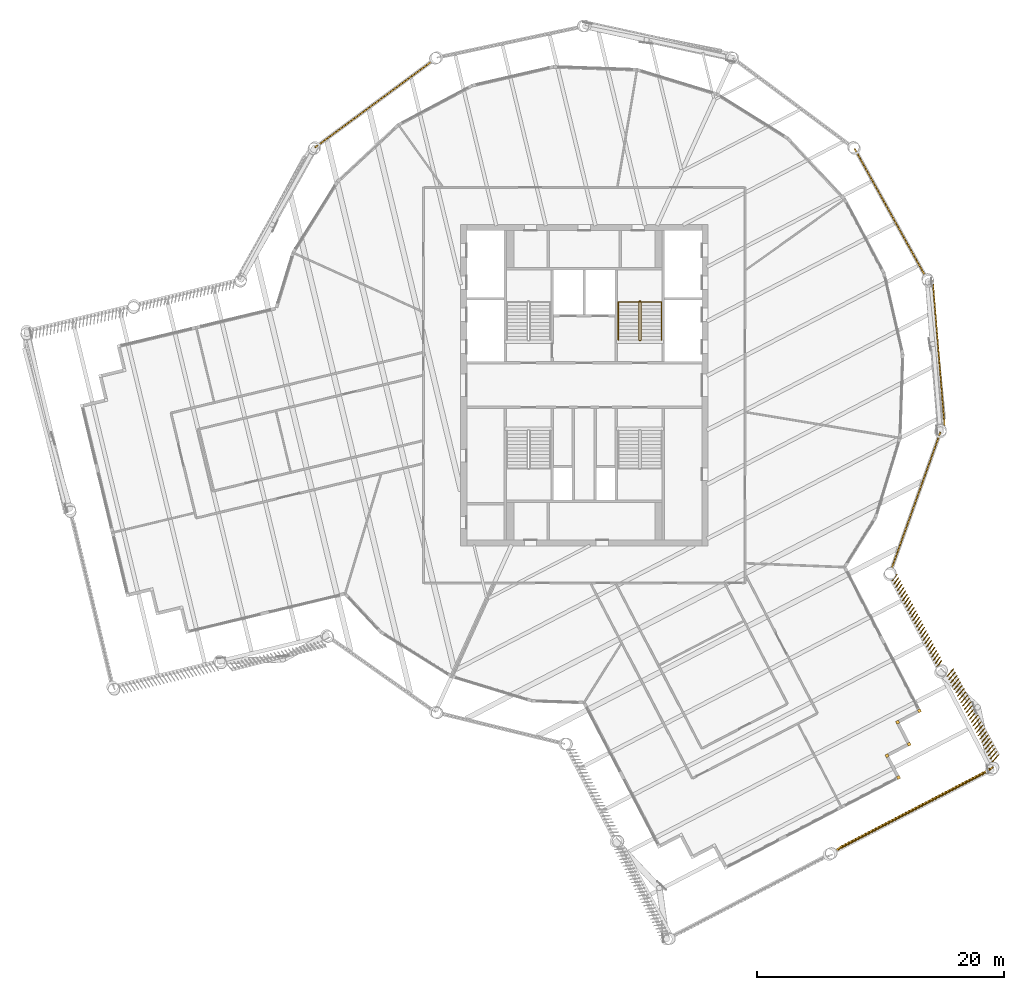
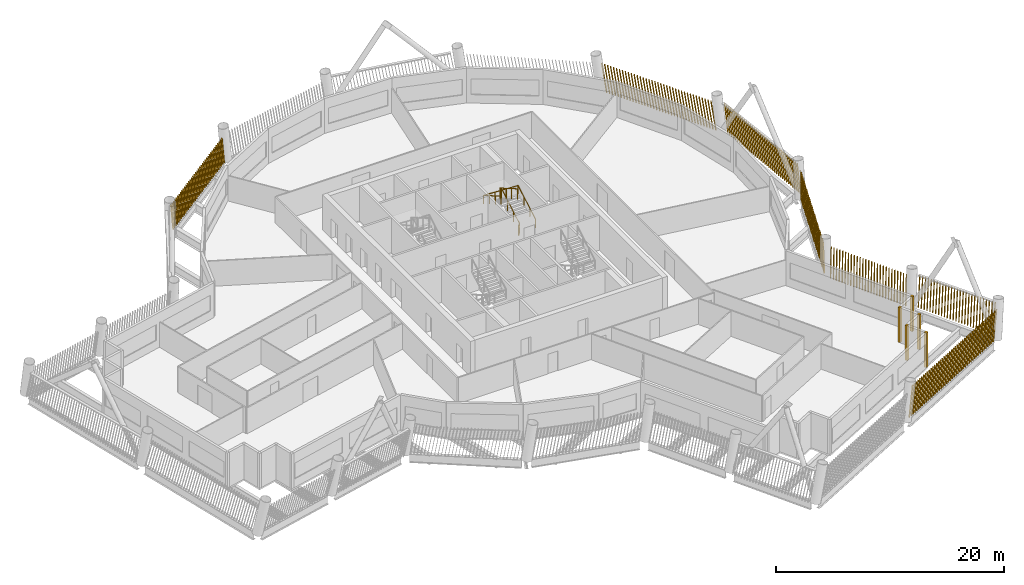
# One storey, part 20 of 22: 12 shading devices, 2 railings.
"""IFC4 building model written with IfcOpenShell, lengths in metres."""

import ifcopenshell
import ifcopenshell.guid

model = None  # the IFC model being written
_history = None  # IfcOwnerHistory: only IFC2X3 demands one
_inside = {}  # id of a spatial element -> (the spatial element, [elements in it])
_under = {}  # id of a project, library or spatial element -> (it, [spatial elements below it])
_declared = {}  # id of a project -> (the project, [libraries it declares])
_typed = {}  # id of a type object -> (the type object, [elements of that type])
_made_of = {}  # id of a material, layer set ... -> (it, [elements and type objects made of it])


def new_model(schema):
    """Start an empty IFC model of exactly this schema.

    Asked for "IFC4X3", IfcOpenShell would pick the latest addendum, in which some entities
    have other attributes; the version numbers below select the first issue.
    IFC2X3 requires an IfcOwnerHistory on every rooted entity: one is made here for all.
    """
    global model, _history
    if schema == "IFC4X3":
        model = ifcopenshell.file(schema_version=(4, 3, 0, 0))
    else:
        model = ifcopenshell.file(schema=schema)
    _inside.clear()
    _under.clear()
    _declared.clear()
    _typed.clear()
    _made_of.clear()
    _history = None
    if model.schema == "IFC2X3":
        org = make("IfcOrganization", Name="unknown")
        user = make(
            "IfcPersonAndOrganization",
            ThePerson=make("IfcPerson", FamilyName="unknown"),
            TheOrganization=org,
        )
        app = make(
            "IfcApplication",
            ApplicationDeveloper=org,
            Version="unknown",
            ApplicationFullName="unknown",
            ApplicationIdentifier="unknown",
        )
        _history = make(
            "IfcOwnerHistory",
            OwningUser=user,
            OwningApplication=app,
            ChangeAction="ADDED",
            CreationDate=0,
        )
    return model


def make(cls, **values):
    """One entity of the class cls with the attributes given. An attribute that is None is left unset."""
    return model.create_entity(
        cls, **{name: value for name, value in values.items() if value is not None}
    )


def rooted(cls, **values):
    """An entity with a GlobalId (a new one), such as an element, a storey or a relation."""
    return make(cls, GlobalId=ifcopenshell.guid.new(), OwnerHistory=_history, **values)


def si_unit(unit_type, name, prefix=None):
    """IfcSIUnit, for example si_unit("LENGTHUNIT", "METRE", prefix="MILLI")."""
    return make("IfcSIUnit", UnitType=unit_type, Prefix=prefix, Name=name)


def assignment(units):
    """IfcUnitAssignment: the units of a project."""
    return None if units is None else make("IfcUnitAssignment", Units=units)


def point(xyz):
    """IfcCartesianPoint."""
    return None if xyz is None else make("IfcCartesianPoint", Coordinates=xyz)


def direction(xyz):
    """IfcDirection."""
    return None if xyz is None else make("IfcDirection", DirectionRatios=xyz)


def frame(location, z_axis=None, x_axis=None):
    """IfcAxis2Placement3D, a coordinate frame: its origin and axes. An axis left out is left unset."""
    return make(
        "IfcAxis2Placement3D",
        Location=point(location),
        Axis=direction(z_axis),
        RefDirection=direction(x_axis),
    )


def frame_2d(location, x_axis=None):
    """IfcAxis2Placement2D, a coordinate frame in the plane: its origin and x axis."""
    return make(
        "IfcAxis2Placement2D", Location=point(location), RefDirection=direction(x_axis)
    )


def origin():
    """The frame at (0, 0, 0) with its axes left unset."""
    return frame((0.0, 0.0, 0.0))


def origin_2d():
    """The frame at (0, 0) in the plane with its x axis left unset."""
    return frame_2d((0.0, 0.0))


def place(relative_to, where):
    """IfcLocalPlacement: puts the frame where relative to a parent placement (None: the world)."""
    return make(
        "IfcLocalPlacement", PlacementRelTo=relative_to, RelativePlacement=where
    )


def context(
    kind, dimensions, precision=None, world=None, true_north=None, identifier=None
):
    """IfcGeometricRepresentationContext, for example the 3D "Model" context."""
    return make(
        "IfcGeometricRepresentationContext",
        ContextIdentifier=identifier,
        ContextType=kind,
        CoordinateSpaceDimension=dimensions,
        Precision=precision,
        WorldCoordinateSystem=world,
        TrueNorth=true_north,
    )


def subcontext(parent, identifier, kind, view, scale=None):
    """IfcGeometricRepresentationSubContext, for example "Body" below "Model"."""
    return make(
        "IfcGeometricRepresentationSubContext",
        ContextIdentifier=identifier,
        ContextType=kind,
        ParentContext=parent,
        TargetScale=scale,
        TargetView=view,
    )


def project(units=None, contexts=None):
    """IfcProject with its units and contexts."""
    return rooted(
        "IfcProject",
        Name="project",
        RepresentationContexts=contexts,
        UnitsInContext=assignment(units),
    )


def spatial(cls, under=None, at=None, **own):
    """A site, building, storey or space (cls), placed at a placement, below another one or the project."""
    s = rooted(cls, ObjectPlacement=at, **own)
    if under is not None:
        _under.setdefault(under.id(), (under, []))[1].append(s)
    return s


def profile(cls, at=None, kind="AREA", **sizes):
    """A parametric profile (cls). Its sizes go by their IFC names, for example OverallWidth=200.0."""
    return make(cls, ProfileType=kind, Position=at, **sizes)


def rectangle(**sizes):
    """IfcRectangleProfileDef."""
    return profile("IfcRectangleProfileDef", **sizes)


def circle(**sizes):
    """IfcCircleProfileDef."""
    return profile("IfcCircleProfileDef", **sizes)


def composite_profile(profiles, kind="AREA"):
    """IfcCompositeProfileDef: several profiles as one."""
    return make("IfcCompositeProfileDef", ProfileType=kind, Profiles=profiles)


def extrude(swept, where, along, depth):
    """IfcExtrudedAreaSolid: the profile swept, set in the frame where, extruded along a direction by depth."""
    return make(
        "IfcExtrudedAreaSolid",
        SweptArea=swept,
        Position=where,
        ExtrudedDirection=direction(along),
        Depth=depth,
    )


def shape(context_of_items, identifier, shape_type, items):
    """IfcShapeRepresentation: the items that make up one representation, for example the "Body"."""
    return make(
        "IfcShapeRepresentation",
        ContextOfItems=context_of_items,
        RepresentationIdentifier=identifier,
        RepresentationType=shape_type,
        Items=items,
    )


def material(Name=None, Category=None):
    """IfcMaterial."""
    return make("IfcMaterial", Name=Name, Category=Category)


def made_of(thing, what):
    """Note that an element or type object is made of a material, layer set ...; save() writes the relation."""
    if what is not None:
        _made_of.setdefault(what.id(), (what, []))[1].append(thing)
    return thing


def type_object(cls, material=None, **own):
    """A type object (cls), such as IfcWallType, which elements share."""
    return made_of(rooted(cls, **own), material)


def element(
    cls,
    number,
    at=None,
    inside=None,
    cuts=None,
    type_object=None,
    material=None,
    context=None,
    identifier="Body",
    shape_type=None,
    held_by="IfcProductDefinitionShape",
    body=None,
    shapes=None,
    **own,
):
    """One element of the class cls, such as IfcWall. Its Tag is "e" and its number.

    at: its placement. inside: the storey or other place that contains it. cuts: it is an
    opening in that element (IfcRelVoidsElement). A single representation is given by context,
    identifier, shape_type and body (its items); several are given by shapes. held_by: the class
    of the entity that holds the representations. save() writes the other relations.
    """
    e = rooted(cls, Tag="e%d" % number, ObjectPlacement=at, **own)
    if body is not None:
        shapes = [shape(context, identifier, shape_type, body)]
    if shapes is not None:
        e.Representation = make(held_by, Representations=shapes)
    if inside is not None:
        _inside.setdefault(inside.id(), (inside, []))[1].append(e)
    if cuts is not None:
        rooted(
            "IfcRelVoidsElement", RelatingBuildingElement=cuts, RelatedOpeningElement=e
        )
    if type_object is not None:
        _typed.setdefault(type_object.id(), (type_object, []))[1].append(e)
    return made_of(e, material)


def aggregate(whole, parts):
    """IfcRelAggregates: a whole, such as a stair, and the parts it consists of."""
    return rooted("IfcRelAggregates", RelatingObject=whole, RelatedObjects=parts)


def save(model, path):
    """Write the relations noted so far, then the file.

    IfcRelAggregates (storeys below a building ...), IfcRelContainedInSpatialStructure (elements
    in a storey), IfcRelDefinesByType, IfcRelAssociatesMaterial and IfcRelDeclares: one each for
    every whole, place, type object, material and project.
    """
    for whole, parts in _under.values():
        aggregate(whole, parts)
    for where, things in _inside.values():
        rooted(
            "IfcRelContainedInSpatialStructure",
            RelatedElements=things,
            RelatingStructure=where,
        )
    for kind, things in _typed.values():
        rooted("IfcRelDefinesByType", RelatedObjects=things, RelatingType=kind)
    for what, things in _made_of.values():
        rooted("IfcRelAssociatesMaterial", RelatedObjects=things, RelatingMaterial=what)
    for by, libraries in _declared.values():
        rooted("IfcRelDeclares", RelatingContext=by, RelatedDefinitions=libraries)
    model.write(path)


model = new_model("IFC4")

# Units and contexts
model_context = context("Model", 3, precision=1e-05, world=origin(), true_north=direction((0.0, 1.0)))
body_context = subcontext(model_context, "Body", "Model", "MODEL_VIEW")
ifc_project = project(units=[si_unit("LENGTHUNIT", "METRE"), si_unit("AREAUNIT", "SQUARE_METRE"), si_unit("VOLUMEUNIT", "CUBIC_METRE"), si_unit("PLANEANGLEUNIT", "RADIAN"), si_unit("MASSUNIT", "GRAM", prefix="KILO")], contexts=[model_context])

# Site, building, storey
site_placement = place(None, origin())
site = spatial("IfcSite", under=ifc_project, at=site_placement, CompositionType="ELEMENT")
building_placement = place(site_placement, origin())
building = spatial("IfcBuilding", under=site, at=building_placement, Name="Tarsis Ring Headquarters", CompositionType="ELEMENT")
storey_placement = place(building_placement, frame((0.0, 0.0, 339.199951171875)))
storey = spatial("IfcBuildingStorey", under=building, at=storey_placement, Name="L80", CompositionType="ELEMENT", Elevation=339.199951171875)

# Railings
ifc_material_1 = material(Name="Steel S355", Category="steel")
railing_type_1 = type_object("IfcRailingType", Name="Core stair guard 1100", PredefinedType="GUARDRAIL", material=ifc_material_1)
railing_1_placement = place(storey_placement, frame((4.4599609375, 3.610107421875, 0.0)))
element("IfcRailing", 1, at=railing_1_placement, inside=storey, type_object=railing_type_1, Name="L80 ST2 stair guard 1", PredefinedType="GUARDRAIL", context=body_context, shape_type="SweptSolid", body=[
    extrude(circle(Radius=0.02392578125, at=origin_2d()), frame((0.0, 0.0, 1.076171875), z_axis=(1.0, 0.0, 0.0), x_axis=(0.0, 1.0, 0.0)), (0.0, 0.0, 1.0), 0.080078125),
    extrude(circle(Radius=0.02392578125, at=origin_2d()), frame((0.080078125, 0.0, 1.076171875), z_axis=(0.282336740067, 0.280959487676, 0.917250092119), x_axis=(-0.705375805398, 0.708833529934, 0.0)), (0.0, 0.0, 1.0), 0.17724609375),
    extrude(circle(Radius=0.02392578125, at=origin_2d()), frame((0.130126953125, 0.0498046875, 1.23876953125), z_axis=(0.0, 0.864920483161, 0.501908913857), x_axis=(-1.0, 0.0, 0.0)), (0.0, 0.0, 1.0), 3.56103515625),
    extrude(circle(Radius=0.02392578125, at=origin_2d()), frame((0.130126953125, 3.1298828125, 3.02587890625), z_axis=(-0.707106781187, 0.707106781187, 0.0), x_axis=(-0.707106781187, -0.707106781187, 0.0)), (0.0, 0.0, 1.0), 0.07080078125),
    extrude(circle(Radius=0.02392578125, at=origin_2d()), frame((0.080078125, 3.179931640625, 3.02587890625), z_axis=(-1.0, 0.0, 0.0), x_axis=(0.0, -1.0, 0.0)), (0.0, 0.0, 1.0), 0.080078125),
    extrude(circle(Radius=0.02392578125, at=origin_2d()), frame((0.0, 3.179931640625, 3.02587890625), z_axis=(-0.282227285176, -0.282227285176, 0.916894497205), x_axis=(0.707106781187, -0.707106781187, 0.0)), (0.0, 0.0, 1.0), 0.17724609375),
    extrude(circle(Radius=0.02392578125, at=origin_2d()), frame((-0.050048828125, 3.1298828125, 3.1884765625), z_axis=(0.0, -0.864890721111, 0.501960198159), x_axis=(1.0, 0.0, 0.0)), (0.0, 0.0, 1.0), 3.561279296875),
    extrude(circle(Radius=0.02099609375, at=origin_2d()), origin(), (0.0, 0.0, 1.0), 1.052001953125),
    extrude(circle(Radius=0.02099609375, at=origin_2d()), frame((0.080078125, 0.0, 0.0)), (0.0, 0.0, 1.0), 1.052001953125),
    extrude(circle(Radius=0.02099609375, at=origin_2d()), frame((0.130126953125, 0.0498046875, 0.16259765625)), (0.0, 0.0, 1.0), 1.052001953125),
    extrude(circle(Radius=0.02099609375, at=origin_2d()), frame((0.130126953125, 1.076416015625, 0.75830078125)), (0.0, 0.0, 1.0), 1.052001953125),
    extrude(circle(Radius=0.02099609375, at=origin_2d()), frame((0.130126953125, 2.103271484375, 1.354248046875)), (0.0, 0.0, 1.0), 1.052001953125),
    extrude(circle(Radius=0.02099609375, at=origin_2d()), frame((0.130126953125, 3.1298828125, 1.949951171875)), (0.0, 0.0, 1.0), 1.052001953125),
    extrude(circle(Radius=0.02099609375, at=origin_2d()), frame((0.080078125, 3.179931640625, 1.949951171875)), (0.0, 0.0, 1.0), 1.052001953125),
    extrude(circle(Radius=0.02099609375, at=origin_2d()), frame((0.0, 3.179931640625, 1.949951171875)), (0.0, 0.0, 1.0), 1.052001953125),
    extrude(circle(Radius=0.02099609375, at=origin_2d()), frame((-0.050048828125, 3.1298828125, 2.112548828125)), (0.0, 0.0, 1.0), 1.052001953125),
    extrude(circle(Radius=0.02099609375, at=origin_2d()), frame((-0.050048828125, 2.103271484375, 2.70849609375)), (0.0, 0.0, 1.0), 1.052001953125),
    extrude(circle(Radius=0.02099609375, at=origin_2d()), frame((-0.050048828125, 1.076416015625, 3.30419921875)), (0.0, 0.0, 1.0), 1.052001953125),
    extrude(circle(Radius=0.02099609375, at=origin_2d()), frame((-0.050048828125, 0.0498046875, 3.900146484375)), (0.0, 0.0, 1.0), 1.052001953125),
])
railing_type_2 = type_object("IfcRailingType", Name="Core stair handrail 900", PredefinedType="HANDRAIL", material=ifc_material_1)
railing_2_placement = place(storey_placement, frame((6.25, 3.659912109375, 0.16259765625)))
element("IfcRailing", 2, at=railing_2_placement, inside=storey, type_object=railing_type_2, Name="L80 ST2 stair handrail 1", PredefinedType="HANDRAIL", context=body_context, shape_type="SweptSolid", body=[
    extrude(circle(Radius=0.02392578125, at=origin_2d()), frame((0.0, 0.0, 0.8759765625), z_axis=(0.0, 0.864920483161, 0.501908913857), x_axis=(-1.0, 0.0, 0.0)), (0.0, 0.0, 1.0), 3.56103515625),
    extrude(circle(Radius=0.02392578125, at=origin_2d()), frame((0.0, 3.080078125, 2.6630859375), z_axis=(-0.998922641604, 0.0, 0.046406422943), x_axis=(0.0, -1.0, 0.0)), (0.0, 0.0, 1.0), 3.503662109375),
    extrude(circle(Radius=0.02392578125, at=origin_2d()), frame((-3.5, 3.080078125, 2.82568359375), z_axis=(0.0, -0.864890721111, 0.501960198159), x_axis=(1.0, 0.0, 0.0)), (0.0, 0.0, 1.0), 3.561279296875),
    extrude(circle(Radius=0.02099609375, at=origin_2d()), origin(), (0.0, 0.0, 1.0), 0.851806640625),
    extrude(circle(Radius=0.02099609375, at=origin_2d()), frame((0.0, 1.026611328125, 0.595703125)), (0.0, 0.0, 1.0), 0.851806640625),
    extrude(circle(Radius=0.02099609375, at=origin_2d()), frame((0.0, 2.053466796875, 1.191650390625)), (0.0, 0.0, 1.0), 0.851806640625),
    extrude(circle(Radius=0.02099609375, at=origin_2d()), frame((0.0, 3.080078125, 1.787353515625)), (0.0, 0.0, 1.0), 0.851806640625),
    extrude(circle(Radius=0.02099609375, at=origin_2d()), frame((-1.166748046875, 3.080078125, 1.841552734375)), (0.0, 0.0, 1.0), 0.851806640625),
    extrude(circle(Radius=0.02099609375, at=origin_2d()), frame((-2.333251953125, 3.080078125, 1.895751953125)), (0.0, 0.0, 1.0), 0.851806640625),
    extrude(circle(Radius=0.02099609375, at=origin_2d()), frame((-3.5, 3.080078125, 1.949951171875)), (0.0, 0.0, 1.0), 0.851806640625),
    extrude(circle(Radius=0.02099609375, at=origin_2d()), frame((-3.5, 2.053466796875, 2.5458984375)), (0.0, 0.0, 1.0), 0.851806640625),
    extrude(circle(Radius=0.02099609375, at=origin_2d()), frame((-3.5, 1.026611328125, 3.1416015625)), (0.0, 0.0, 1.0), 0.851806640625),
    extrude(circle(Radius=0.02099609375, at=origin_2d()), frame((-3.5, 0.0, 3.737548828125)), (0.0, 0.0, 1.0), 0.851806640625),
])

# Shading devices
ifc_material_2 = material(Name="Terracotta baguette", Category="masonry")
shading_device_type_1 = type_object("IfcShadingDeviceType", Name="Terracotta baguette screen", PredefinedType="USERDEFINED", material=ifc_material_2)
shading_device_1_placement = place(storey_placement, frame((20.219482421875, -37.72607421875, 0.0), z_axis=(0.0, 0.0, 1.0), x_axis=(0.886846528085, 0.46206103494, 0.0)))
element("IfcShadingDevice", 3, at=shading_device_1_placement, inside=storey, type_object=shading_device_type_1, Name="Baguette screen L80-04", ObjectType="Terracotta baguette screen", PredefinedType="USERDEFINED", context=body_context, shape_type="SweptSolid", body=[
    extrude(composite_profile([rectangle(XDim=0.06005859375, YDim=0.1201171875, at=frame_2d((0.030029296875, 0.0))), rectangle(XDim=0.06005859375, YDim=0.1201171875, at=frame_2d((0.33544921875, 0.0))), rectangle(XDim=0.06005859375, YDim=0.1201171875, at=frame_2d((0.640625, 0.0))), rectangle(XDim=0.06005859375, YDim=0.1201171875, at=frame_2d((0.946044921875, 0.0))), rectangle(XDim=0.06005859375, YDim=0.1201171875, at=frame_2d((1.25146484375, 0.0))), rectangle(XDim=0.06005859375, YDim=0.1201171875, at=frame_2d((1.556640625, 0.0))), rectangle(XDim=0.06005859375, YDim=0.1201171875, at=frame_2d((1.862060546875, 0.0))), rectangle(XDim=0.06005859375, YDim=0.1201171875, at=frame_2d((2.16748046875, 0.0))), rectangle(XDim=0.06005859375, YDim=0.1201171875, at=frame_2d((2.47265625, 0.0))), rectangle(XDim=0.06005859375, YDim=0.1201171875, at=frame_2d((2.778076171875, 0.0))), rectangle(XDim=0.06005859375, YDim=0.1201171875, at=frame_2d((3.08349609375, 0.0))), rectangle(XDim=0.06005859375, YDim=0.1201171875, at=frame_2d((3.388671875, 0.0))), rectangle(XDim=0.06005859375, YDim=0.1201171875, at=frame_2d((3.694091796875, 0.0))), rectangle(XDim=0.06005859375, YDim=0.1201171875, at=frame_2d((3.99951171875, 0.0))), rectangle(XDim=0.06005859375, YDim=0.1201171875, at=frame_2d((4.3046875, 0.0))), rectangle(XDim=0.06005859375, YDim=0.1201171875, at=frame_2d((4.610107421875, 0.0))), rectangle(XDim=0.06005859375, YDim=0.1201171875, at=frame_2d((4.91552734375, 0.0))), rectangle(XDim=0.06005859375, YDim=0.1201171875, at=frame_2d((5.220703125, 0.0))), rectangle(XDim=0.06005859375, YDim=0.1201171875, at=frame_2d((5.526123046875, 0.0))), rectangle(XDim=0.06005859375, YDim=0.1201171875, at=frame_2d((5.83154296875, 0.0))), rectangle(XDim=0.06005859375, YDim=0.1201171875, at=frame_2d((6.13671875, 0.0))), rectangle(XDim=0.06005859375, YDim=0.1201171875, at=frame_2d((6.442138671875, 0.0))), rectangle(XDim=0.06005859375, YDim=0.1201171875, at=frame_2d((6.74755859375, 0.0))), rectangle(XDim=0.06005859375, YDim=0.1201171875, at=frame_2d((7.052734375, 0.0))), rectangle(XDim=0.06005859375, YDim=0.1201171875, at=frame_2d((7.358154296875, 0.0))), rectangle(XDim=0.06005859375, YDim=0.1201171875, at=frame_2d((7.66357421875, 0.0))), rectangle(XDim=0.06005859375, YDim=0.1201171875, at=frame_2d((7.96875, 0.0))), rectangle(XDim=0.06005859375, YDim=0.1201171875, at=frame_2d((8.274169921875, 0.0))), rectangle(XDim=0.06005859375, YDim=0.1201171875, at=frame_2d((8.57958984375, 0.0))), rectangle(XDim=0.06005859375, YDim=0.1201171875, at=frame_2d((8.884765625, 0.0))), rectangle(XDim=0.06005859375, YDim=0.1201171875, at=frame_2d((9.190185546875, 0.0))), rectangle(XDim=0.06005859375, YDim=0.1201171875, at=frame_2d((9.49560546875, 0.0))), rectangle(XDim=0.06005859375, YDim=0.1201171875, at=frame_2d((9.80078125, 0.0))), rectangle(XDim=0.06005859375, YDim=0.1201171875, at=frame_2d((10.106201171875, 0.0))), rectangle(XDim=0.06005859375, YDim=0.1201171875, at=frame_2d((10.41162109375, 0.0))), rectangle(XDim=0.06005859375, YDim=0.1201171875, at=frame_2d((10.716796875, 0.0))), rectangle(XDim=0.06005859375, YDim=0.1201171875, at=frame_2d((11.022216796875, 0.0))), rectangle(XDim=0.06005859375, YDim=0.1201171875, at=frame_2d((11.32763671875, 0.0))), rectangle(XDim=0.06005859375, YDim=0.1201171875, at=frame_2d((11.6328125, 0.0))), rectangle(XDim=0.06005859375, YDim=0.1201171875, at=frame_2d((11.938232421875, 0.0))), rectangle(XDim=0.06005859375, YDim=0.1201171875, at=frame_2d((12.24365234375, 0.0))), rectangle(XDim=0.06005859375, YDim=0.1201171875, at=frame_2d((12.548828125, 0.0))), rectangle(XDim=0.06005859375, YDim=0.1201171875, at=frame_2d((12.854248046875, 0.0))), rectangle(XDim=0.06005859375, YDim=0.1201171875, at=frame_2d((13.15966796875, 0.0))), rectangle(XDim=0.06005859375, YDim=0.1201171875, at=frame_2d((13.46484375, 0.0))), rectangle(XDim=0.06005859375, YDim=0.1201171875, at=frame_2d((13.770263671875, 0.0)))]), origin(), (0.252586526328, 0.046035159308, 0.96647856201), 3.07080078125),
])
shading_device_2_placement = place(storey_placement, frame((33.0029296875, -30.501953125, 0.0), z_axis=(0.0, 0.0, 1.0), x_axis=(-0.462044675132, 0.886860073532, 0.0)))
element("IfcShadingDevice", 4, at=shading_device_2_placement, inside=storey, type_object=shading_device_type_1, Name="Baguette screen L80-05", ObjectType="Terracotta baguette screen", PredefinedType="USERDEFINED", context=body_context, shape_type="SweptSolid", body=[
    extrude(composite_profile([rectangle(XDim=0.06005859375, YDim=0.1201171875, at=frame_2d((0.030029296875, 0.0))), rectangle(XDim=0.06005859375, YDim=0.1201171875, at=frame_2d((0.33154296875, 0.0))), rectangle(XDim=0.06005859375, YDim=0.1201171875, at=frame_2d((0.63330078125, 0.0))), rectangle(XDim=0.06005859375, YDim=0.1201171875, at=frame_2d((0.934814453125, 0.0))), rectangle(XDim=0.06005859375, YDim=0.1201171875, at=frame_2d((1.236572265625, 0.0))), rectangle(XDim=0.06005859375, YDim=0.1201171875, at=frame_2d((1.5380859375, 0.0))), rectangle(XDim=0.06005859375, YDim=0.1201171875, at=frame_2d((1.83984375, 0.0))), rectangle(XDim=0.06005859375, YDim=0.1201171875, at=frame_2d((2.141357421875, 0.0))), rectangle(XDim=0.06005859375, YDim=0.1201171875, at=frame_2d((2.443115234375, 0.0))), rectangle(XDim=0.06005859375, YDim=0.1201171875, at=frame_2d((2.74462890625, 0.0))), rectangle(XDim=0.06005859375, YDim=0.1201171875, at=frame_2d((3.04638671875, 0.0))), rectangle(XDim=0.06005859375, YDim=0.1201171875, at=frame_2d((3.347900390625, 0.0))), rectangle(XDim=0.06005859375, YDim=0.1201171875, at=frame_2d((3.649658203125, 0.0))), rectangle(XDim=0.06005859375, YDim=0.1201171875, at=frame_2d((3.951171875, 0.0))), rectangle(XDim=0.06005859375, YDim=0.1201171875, at=frame_2d((4.252685546875, 0.0))), rectangle(XDim=0.06005859375, YDim=0.1201171875, at=frame_2d((4.554443359375, 0.0))), rectangle(XDim=0.06005859375, YDim=0.1201171875, at=frame_2d((4.85595703125, 0.0))), rectangle(XDim=0.06005859375, YDim=0.1201171875, at=frame_2d((5.15771484375, 0.0))), rectangle(XDim=0.06005859375, YDim=0.1201171875, at=frame_2d((5.459228515625, 0.0))), rectangle(XDim=0.06005859375, YDim=0.1201171875, at=frame_2d((5.760986328125, 0.0))), rectangle(XDim=0.06005859375, YDim=0.1201171875, at=frame_2d((6.0625, 0.0))), rectangle(XDim=0.06005859375, YDim=0.1201171875, at=frame_2d((6.3642578125, 0.0))), rectangle(XDim=0.06005859375, YDim=0.1201171875, at=frame_2d((6.665771484375, 0.0))), rectangle(XDim=0.06005859375, YDim=0.1201171875, at=frame_2d((6.967529296875, 0.0))), rectangle(XDim=0.06005859375, YDim=0.1201171875, at=frame_2d((7.26904296875, 0.0))), rectangle(XDim=0.06005859375, YDim=0.1201171875, at=frame_2d((7.57080078125, 0.0))), rectangle(XDim=0.06005859375, YDim=0.1201171875, at=frame_2d((7.872314453125, 0.0)))]), origin(), (0.092057411178, -0.226594793748, 0.96962891484), 3.060791015625),
])
shading_device_3_placement = place(storey_placement, frame((28.55712890625, -22.7802734375, 0.0), z_axis=(0.0, 0.0, 1.0), x_axis=(-0.462061295106, 0.886832674246, 0.0)))
element("IfcShadingDevice", 5, at=shading_device_3_placement, inside=storey, type_object=shading_device_type_1, Name="Baguette screen L80-06", ObjectType="Terracotta baguette screen", PredefinedType="USERDEFINED", context=body_context, shape_type="SweptSolid", body=[
    extrude(composite_profile([rectangle(XDim=0.06005859375, YDim=0.1201171875, at=frame_2d((0.030029296875, 0.0))), rectangle(XDim=0.06005859375, YDim=0.1201171875, at=frame_2d((0.33154296875, 0.0))), rectangle(XDim=0.06005859375, YDim=0.1201171875, at=frame_2d((0.63330078125, 0.0))), rectangle(XDim=0.06005859375, YDim=0.1201171875, at=frame_2d((0.934814453125, 0.0))), rectangle(XDim=0.06005859375, YDim=0.1201171875, at=frame_2d((1.236572265625, 0.0))), rectangle(XDim=0.06005859375, YDim=0.1201171875, at=frame_2d((1.5380859375, 0.0))), rectangle(XDim=0.06005859375, YDim=0.1201171875, at=frame_2d((1.83984375, 0.0))), rectangle(XDim=0.06005859375, YDim=0.1201171875, at=frame_2d((2.141357421875, 0.0))), rectangle(XDim=0.06005859375, YDim=0.1201171875, at=frame_2d((2.443115234375, 0.0))), rectangle(XDim=0.06005859375, YDim=0.1201171875, at=frame_2d((2.74462890625, 0.0))), rectangle(XDim=0.06005859375, YDim=0.1201171875, at=frame_2d((3.04638671875, 0.0))), rectangle(XDim=0.06005859375, YDim=0.1201171875, at=frame_2d((3.347900390625, 0.0))), rectangle(XDim=0.06005859375, YDim=0.1201171875, at=frame_2d((3.649658203125, 0.0))), rectangle(XDim=0.06005859375, YDim=0.1201171875, at=frame_2d((3.951171875, 0.0))), rectangle(XDim=0.06005859375, YDim=0.1201171875, at=frame_2d((4.252685546875, 0.0))), rectangle(XDim=0.06005859375, YDim=0.1201171875, at=frame_2d((4.554443359375, 0.0))), rectangle(XDim=0.06005859375, YDim=0.1201171875, at=frame_2d((4.85595703125, 0.0))), rectangle(XDim=0.06005859375, YDim=0.1201171875, at=frame_2d((5.15771484375, 0.0))), rectangle(XDim=0.06005859375, YDim=0.1201171875, at=frame_2d((5.459228515625, 0.0))), rectangle(XDim=0.06005859375, YDim=0.1201171875, at=frame_2d((5.760986328125, 0.0))), rectangle(XDim=0.06005859375, YDim=0.1201171875, at=frame_2d((6.0625, 0.0))), rectangle(XDim=0.06005859375, YDim=0.1201171875, at=frame_2d((6.3642578125, 0.0))), rectangle(XDim=0.06005859375, YDim=0.1201171875, at=frame_2d((6.665771484375, 0.0))), rectangle(XDim=0.06005859375, YDim=0.1201171875, at=frame_2d((6.967529296875, 0.0))), rectangle(XDim=0.06005859375, YDim=0.1201171875, at=frame_2d((7.26904296875, 0.0))), rectangle(XDim=0.06005859375, YDim=0.1201171875, at=frame_2d((7.57080078125, 0.0))), rectangle(XDim=0.06005859375, YDim=0.1201171875, at=frame_2d((7.872314453125, 0.0)))]), origin(), (0.090329309771, -0.175733704297, 0.980284795848), 3.02734375),
])
shading_device_4_placement = place(storey_placement, frame((24.843017578125, -14.85791015625, 0.0), z_axis=(0.0, 0.0, 1.0), x_axis=(0.336755290288, 0.941595225176, 0.0)))
element("IfcShadingDevice", 6, at=shading_device_4_placement, inside=storey, type_object=shading_device_type_1, Name="Baguette screen L80-07", ObjectType="Terracotta baguette screen", PredefinedType="USERDEFINED", context=body_context, shape_type="SweptSolid", body=[
    extrude(composite_profile([rectangle(XDim=0.06005859375, YDim=0.1201171875, at=frame_2d((0.030029296875, 0.0))), rectangle(XDim=0.06005859375, YDim=0.1201171875, at=frame_2d((0.33251953125, 0.0))), rectangle(XDim=0.06005859375, YDim=0.1201171875, at=frame_2d((0.634765625, 0.0))), rectangle(XDim=0.06005859375, YDim=0.1201171875, at=frame_2d((0.937255859375, 0.0))), rectangle(XDim=0.06005859375, YDim=0.1201171875, at=frame_2d((1.239501953125, 0.0))), rectangle(XDim=0.06005859375, YDim=0.1201171875, at=frame_2d((1.5419921875, 0.0))), rectangle(XDim=0.06005859375, YDim=0.1201171875, at=frame_2d((1.844482421875, 0.0))), rectangle(XDim=0.06005859375, YDim=0.1201171875, at=frame_2d((2.146728515625, 0.0))), rectangle(XDim=0.06005859375, YDim=0.1201171875, at=frame_2d((2.44921875, 0.0))), rectangle(XDim=0.06005859375, YDim=0.1201171875, at=frame_2d((2.751708984375, 0.0))), rectangle(XDim=0.06005859375, YDim=0.1201171875, at=frame_2d((3.053955078125, 0.0))), rectangle(XDim=0.06005859375, YDim=0.1201171875, at=frame_2d((3.3564453125, 0.0))), rectangle(XDim=0.06005859375, YDim=0.1201171875, at=frame_2d((3.65869140625, 0.0))), rectangle(XDim=0.06005859375, YDim=0.1201171875, at=frame_2d((3.961181640625, 0.0))), rectangle(XDim=0.06005859375, YDim=0.1201171875, at=frame_2d((4.263671875, 0.0))), rectangle(XDim=0.06005859375, YDim=0.1201171875, at=frame_2d((4.56591796875, 0.0))), rectangle(XDim=0.06005859375, YDim=0.1201171875, at=frame_2d((4.868408203125, 0.0))), rectangle(XDim=0.06005859375, YDim=0.1201171875, at=frame_2d((5.1708984375, 0.0))), rectangle(XDim=0.06005859375, YDim=0.1201171875, at=frame_2d((5.47314453125, 0.0))), rectangle(XDim=0.06005859375, YDim=0.1201171875, at=frame_2d((5.775634765625, 0.0))), rectangle(XDim=0.06005859375, YDim=0.1201171875, at=frame_2d((6.077880859375, 0.0))), rectangle(XDim=0.06005859375, YDim=0.1201171875, at=frame_2d((6.38037109375, 0.0))), rectangle(XDim=0.06005859375, YDim=0.1201171875, at=frame_2d((6.682861328125, 0.0))), rectangle(XDim=0.06005859375, YDim=0.1201171875, at=frame_2d((6.985107421875, 0.0))), rectangle(XDim=0.06005859375, YDim=0.1201171875, at=frame_2d((7.28759765625, 0.0))), rectangle(XDim=0.06005859375, YDim=0.1201171875, at=frame_2d((7.590087890625, 0.0))), rectangle(XDim=0.06005859375, YDim=0.1201171875, at=frame_2d((7.892333984375, 0.0))), rectangle(XDim=0.06005859375, YDim=0.1201171875, at=frame_2d((8.19482421875, 0.0))), rectangle(XDim=0.06005859375, YDim=0.1201171875, at=frame_2d((8.4970703125, 0.0))), rectangle(XDim=0.06005859375, YDim=0.1201171875, at=frame_2d((8.799560546875, 0.0))), rectangle(XDim=0.06005859375, YDim=0.1201171875, at=frame_2d((9.10205078125, 0.0))), rectangle(XDim=0.06005859375, YDim=0.1201171875, at=frame_2d((9.404296875, 0.0))), rectangle(XDim=0.06005859375, YDim=0.1201171875, at=frame_2d((9.706787109375, 0.0))), rectangle(XDim=0.06005859375, YDim=0.1201171875, at=frame_2d((10.00927734375, 0.0))), rectangle(XDim=0.06005859375, YDim=0.1201171875, at=frame_2d((10.3115234375, 0.0))), rectangle(XDim=0.06005859375, YDim=0.1201171875, at=frame_2d((10.614013671875, 0.0))), rectangle(XDim=0.06005859375, YDim=0.1201171875, at=frame_2d((10.916259765625, 0.0))), rectangle(XDim=0.06005859375, YDim=0.1201171875, at=frame_2d((11.21875, 0.0)))]), origin(), (0.171102083044, 0.001554654992, 0.985252079534), 3.01220703125),
])
shading_device_5_placement = place(storey_placement, frame((29.132568359375, -3.2666015625, 0.0), z_axis=(0.0, 0.0, 1.0), x_axis=(-0.081300460109, 0.996679399253, 0.0)))
element("IfcShadingDevice", 7, at=shading_device_5_placement, inside=storey, type_object=shading_device_type_1, Name="Baguette screen L80-08", ObjectType="Terracotta baguette screen", PredefinedType="USERDEFINED", context=body_context, shape_type="SweptSolid", body=[
    extrude(composite_profile([rectangle(XDim=0.06005859375, YDim=0.1201171875, at=frame_2d((0.030029296875, 0.0))), rectangle(XDim=0.06005859375, YDim=0.1201171875, at=frame_2d((0.33251953125, 0.0))), rectangle(XDim=0.06005859375, YDim=0.1201171875, at=frame_2d((0.634765625, 0.0))), rectangle(XDim=0.06005859375, YDim=0.1201171875, at=frame_2d((0.937255859375, 0.0))), rectangle(XDim=0.06005859375, YDim=0.1201171875, at=frame_2d((1.239501953125, 0.0))), rectangle(XDim=0.06005859375, YDim=0.1201171875, at=frame_2d((1.5419921875, 0.0))), rectangle(XDim=0.06005859375, YDim=0.1201171875, at=frame_2d((1.844482421875, 0.0))), rectangle(XDim=0.06005859375, YDim=0.1201171875, at=frame_2d((2.146728515625, 0.0))), rectangle(XDim=0.06005859375, YDim=0.1201171875, at=frame_2d((2.44921875, 0.0))), rectangle(XDim=0.06005859375, YDim=0.1201171875, at=frame_2d((2.751708984375, 0.0))), rectangle(XDim=0.06005859375, YDim=0.1201171875, at=frame_2d((3.053955078125, 0.0))), rectangle(XDim=0.06005859375, YDim=0.1201171875, at=frame_2d((3.3564453125, 0.0))), rectangle(XDim=0.06005859375, YDim=0.1201171875, at=frame_2d((3.65869140625, 0.0))), rectangle(XDim=0.06005859375, YDim=0.1201171875, at=frame_2d((3.961181640625, 0.0))), rectangle(XDim=0.06005859375, YDim=0.1201171875, at=frame_2d((4.263671875, 0.0))), rectangle(XDim=0.06005859375, YDim=0.1201171875, at=frame_2d((4.56591796875, 0.0))), rectangle(XDim=0.06005859375, YDim=0.1201171875, at=frame_2d((4.868408203125, 0.0))), rectangle(XDim=0.06005859375, YDim=0.1201171875, at=frame_2d((5.1708984375, 0.0))), rectangle(XDim=0.06005859375, YDim=0.1201171875, at=frame_2d((5.47314453125, 0.0))), rectangle(XDim=0.06005859375, YDim=0.1201171875, at=frame_2d((5.775634765625, 0.0))), rectangle(XDim=0.06005859375, YDim=0.1201171875, at=frame_2d((6.077880859375, 0.0))), rectangle(XDim=0.06005859375, YDim=0.1201171875, at=frame_2d((6.38037109375, 0.0))), rectangle(XDim=0.06005859375, YDim=0.1201171875, at=frame_2d((6.682861328125, 0.0))), rectangle(XDim=0.06005859375, YDim=0.1201171875, at=frame_2d((6.985107421875, 0.0))), rectangle(XDim=0.06005859375, YDim=0.1201171875, at=frame_2d((7.28759765625, 0.0))), rectangle(XDim=0.06005859375, YDim=0.1201171875, at=frame_2d((7.590087890625, 0.0))), rectangle(XDim=0.06005859375, YDim=0.1201171875, at=frame_2d((7.892333984375, 0.0))), rectangle(XDim=0.06005859375, YDim=0.1201171875, at=frame_2d((8.19482421875, 0.0))), rectangle(XDim=0.06005859375, YDim=0.1201171875, at=frame_2d((8.4970703125, 0.0))), rectangle(XDim=0.06005859375, YDim=0.1201171875, at=frame_2d((8.799560546875, 0.0))), rectangle(XDim=0.06005859375, YDim=0.1201171875, at=frame_2d((9.10205078125, 0.0))), rectangle(XDim=0.06005859375, YDim=0.1201171875, at=frame_2d((9.404296875, 0.0))), rectangle(XDim=0.06005859375, YDim=0.1201171875, at=frame_2d((9.706787109375, 0.0))), rectangle(XDim=0.06005859375, YDim=0.1201171875, at=frame_2d((10.00927734375, 0.0))), rectangle(XDim=0.06005859375, YDim=0.1201171875, at=frame_2d((10.3115234375, 0.0))), rectangle(XDim=0.06005859375, YDim=0.1201171875, at=frame_2d((10.614013671875, 0.0))), rectangle(XDim=0.06005859375, YDim=0.1201171875, at=frame_2d((10.916259765625, 0.0))), rectangle(XDim=0.06005859375, YDim=0.1201171875, at=frame_2d((11.21875, 0.0)))]), origin(), (0.173291820606, 0.001574098165, 0.984869263977), 3.013427734375),
])
shading_device_6_placement = place(storey_placement, frame((27.56103515625, 8.850341796875, 0.0), z_axis=(0.0, 0.0, 1.0), x_axis=(-0.484915570604, 0.874571341755, 0.0)))
element("IfcShadingDevice", 8, at=shading_device_6_placement, inside=storey, type_object=shading_device_type_1, Name="Baguette screen L80-09", ObjectType="Terracotta baguette screen", PredefinedType="USERDEFINED", context=body_context, shape_type="SweptSolid", body=[
    extrude(composite_profile([rectangle(XDim=0.06005859375, YDim=0.1201171875, at=frame_2d((0.030029296875, 0.0))), rectangle(XDim=0.06005859375, YDim=0.1201171875, at=frame_2d((0.33251953125, 0.0))), rectangle(XDim=0.06005859375, YDim=0.1201171875, at=frame_2d((0.634765625, 0.0))), rectangle(XDim=0.06005859375, YDim=0.1201171875, at=frame_2d((0.937255859375, 0.0))), rectangle(XDim=0.06005859375, YDim=0.1201171875, at=frame_2d((1.239501953125, 0.0))), rectangle(XDim=0.06005859375, YDim=0.1201171875, at=frame_2d((1.5419921875, 0.0))), rectangle(XDim=0.06005859375, YDim=0.1201171875, at=frame_2d((1.844482421875, 0.0))), rectangle(XDim=0.06005859375, YDim=0.1201171875, at=frame_2d((2.146728515625, 0.0))), rectangle(XDim=0.06005859375, YDim=0.1201171875, at=frame_2d((2.44921875, 0.0))), rectangle(XDim=0.06005859375, YDim=0.1201171875, at=frame_2d((2.751708984375, 0.0))), rectangle(XDim=0.06005859375, YDim=0.1201171875, at=frame_2d((3.053955078125, 0.0))), rectangle(XDim=0.06005859375, YDim=0.1201171875, at=frame_2d((3.3564453125, 0.0))), rectangle(XDim=0.06005859375, YDim=0.1201171875, at=frame_2d((3.65869140625, 0.0))), rectangle(XDim=0.06005859375, YDim=0.1201171875, at=frame_2d((3.961181640625, 0.0))), rectangle(XDim=0.06005859375, YDim=0.1201171875, at=frame_2d((4.263671875, 0.0))), rectangle(XDim=0.06005859375, YDim=0.1201171875, at=frame_2d((4.56591796875, 0.0))), rectangle(XDim=0.06005859375, YDim=0.1201171875, at=frame_2d((4.868408203125, 0.0))), rectangle(XDim=0.06005859375, YDim=0.1201171875, at=frame_2d((5.1708984375, 0.0))), rectangle(XDim=0.06005859375, YDim=0.1201171875, at=frame_2d((5.47314453125, 0.0))), rectangle(XDim=0.06005859375, YDim=0.1201171875, at=frame_2d((5.775634765625, 0.0))), rectangle(XDim=0.06005859375, YDim=0.1201171875, at=frame_2d((6.077880859375, 0.0))), rectangle(XDim=0.06005859375, YDim=0.1201171875, at=frame_2d((6.38037109375, 0.0))), rectangle(XDim=0.06005859375, YDim=0.1201171875, at=frame_2d((6.682861328125, 0.0))), rectangle(XDim=0.06005859375, YDim=0.1201171875, at=frame_2d((6.985107421875, 0.0))), rectangle(XDim=0.06005859375, YDim=0.1201171875, at=frame_2d((7.28759765625, 0.0))), rectangle(XDim=0.06005859375, YDim=0.1201171875, at=frame_2d((7.590087890625, 0.0))), rectangle(XDim=0.06005859375, YDim=0.1201171875, at=frame_2d((7.892333984375, 0.0))), rectangle(XDim=0.06005859375, YDim=0.1201171875, at=frame_2d((8.19482421875, 0.0))), rectangle(XDim=0.06005859375, YDim=0.1201171875, at=frame_2d((8.4970703125, 0.0))), rectangle(XDim=0.06005859375, YDim=0.1201171875, at=frame_2d((8.799560546875, 0.0))), rectangle(XDim=0.06005859375, YDim=0.1201171875, at=frame_2d((9.10205078125, 0.0))), rectangle(XDim=0.06005859375, YDim=0.1201171875, at=frame_2d((9.404296875, 0.0))), rectangle(XDim=0.06005859375, YDim=0.1201171875, at=frame_2d((9.706787109375, 0.0))), rectangle(XDim=0.06005859375, YDim=0.1201171875, at=frame_2d((10.00927734375, 0.0))), rectangle(XDim=0.06005859375, YDim=0.1201171875, at=frame_2d((10.3115234375, 0.0))), rectangle(XDim=0.06005859375, YDim=0.1201171875, at=frame_2d((10.614013671875, 0.0))), rectangle(XDim=0.06005859375, YDim=0.1201171875, at=frame_2d((10.916259765625, 0.0))), rectangle(XDim=0.06005859375, YDim=0.1201171875, at=frame_2d((11.21875, 0.0)))]), origin(), (0.171102928585, 0.001552224521, 0.985251936526), 3.01220703125),
])
shading_device_7_placement = place(storey_placement, frame((-12.3125, 26.1982421875, 0.0), z_axis=(0.0, 0.0, 1.0), x_axis=(-0.805126313048, -0.593085337269, 0.0)))
element("IfcShadingDevice", 9, at=shading_device_7_placement, inside=storey, type_object=shading_device_type_1, Name="Baguette screen L80-13", ObjectType="Terracotta baguette screen", PredefinedType="USERDEFINED", context=body_context, shape_type="SweptSolid", body=[
    extrude(composite_profile([rectangle(XDim=0.06005859375, YDim=0.1201171875, at=frame_2d((0.030029296875, 0.0))), rectangle(XDim=0.06005859375, YDim=0.1201171875, at=frame_2d((0.33251953125, 0.0))), rectangle(XDim=0.06005859375, YDim=0.1201171875, at=frame_2d((0.634765625, 0.0))), rectangle(XDim=0.06005859375, YDim=0.1201171875, at=frame_2d((0.937255859375, 0.0))), rectangle(XDim=0.06005859375, YDim=0.1201171875, at=frame_2d((1.239501953125, 0.0))), rectangle(XDim=0.06005859375, YDim=0.1201171875, at=frame_2d((1.5419921875, 0.0))), rectangle(XDim=0.06005859375, YDim=0.1201171875, at=frame_2d((1.844482421875, 0.0))), rectangle(XDim=0.06005859375, YDim=0.1201171875, at=frame_2d((2.146728515625, 0.0))), rectangle(XDim=0.06005859375, YDim=0.1201171875, at=frame_2d((2.44921875, 0.0))), rectangle(XDim=0.06005859375, YDim=0.1201171875, at=frame_2d((2.751708984375, 0.0))), rectangle(XDim=0.06005859375, YDim=0.1201171875, at=frame_2d((3.053955078125, 0.0))), rectangle(XDim=0.06005859375, YDim=0.1201171875, at=frame_2d((3.3564453125, 0.0))), rectangle(XDim=0.06005859375, YDim=0.1201171875, at=frame_2d((3.65869140625, 0.0))), rectangle(XDim=0.06005859375, YDim=0.1201171875, at=frame_2d((3.961181640625, 0.0))), rectangle(XDim=0.06005859375, YDim=0.1201171875, at=frame_2d((4.263671875, 0.0))), rectangle(XDim=0.06005859375, YDim=0.1201171875, at=frame_2d((4.56591796875, 0.0))), rectangle(XDim=0.06005859375, YDim=0.1201171875, at=frame_2d((4.868408203125, 0.0))), rectangle(XDim=0.06005859375, YDim=0.1201171875, at=frame_2d((5.1708984375, 0.0))), rectangle(XDim=0.06005859375, YDim=0.1201171875, at=frame_2d((5.47314453125, 0.0))), rectangle(XDim=0.06005859375, YDim=0.1201171875, at=frame_2d((5.775634765625, 0.0))), rectangle(XDim=0.06005859375, YDim=0.1201171875, at=frame_2d((6.077880859375, 0.0))), rectangle(XDim=0.06005859375, YDim=0.1201171875, at=frame_2d((6.38037109375, 0.0))), rectangle(XDim=0.06005859375, YDim=0.1201171875, at=frame_2d((6.682861328125, 0.0))), rectangle(XDim=0.06005859375, YDim=0.1201171875, at=frame_2d((6.985107421875, 0.0))), rectangle(XDim=0.06005859375, YDim=0.1201171875, at=frame_2d((7.28759765625, 0.0))), rectangle(XDim=0.06005859375, YDim=0.1201171875, at=frame_2d((7.590087890625, 0.0))), rectangle(XDim=0.06005859375, YDim=0.1201171875, at=frame_2d((7.892333984375, 0.0))), rectangle(XDim=0.06005859375, YDim=0.1201171875, at=frame_2d((8.19482421875, 0.0))), rectangle(XDim=0.06005859375, YDim=0.1201171875, at=frame_2d((8.4970703125, 0.0))), rectangle(XDim=0.06005859375, YDim=0.1201171875, at=frame_2d((8.799560546875, 0.0))), rectangle(XDim=0.06005859375, YDim=0.1201171875, at=frame_2d((9.10205078125, 0.0))), rectangle(XDim=0.06005859375, YDim=0.1201171875, at=frame_2d((9.404296875, 0.0))), rectangle(XDim=0.06005859375, YDim=0.1201171875, at=frame_2d((9.706787109375, 0.0))), rectangle(XDim=0.06005859375, YDim=0.1201171875, at=frame_2d((10.00927734375, 0.0))), rectangle(XDim=0.06005859375, YDim=0.1201171875, at=frame_2d((10.3115234375, 0.0))), rectangle(XDim=0.06005859375, YDim=0.1201171875, at=frame_2d((10.614013671875, 0.0))), rectangle(XDim=0.06005859375, YDim=0.1201171875, at=frame_2d((10.916259765625, 0.0))), rectangle(XDim=0.06005859375, YDim=0.1201171875, at=frame_2d((11.21875, 0.0)))]), origin(), (0.17109974981, 0.001551430319, 0.985252489811), 3.01220703125),
])
shading_device_type_2 = type_object("IfcShadingDeviceType", Name="Terracotta corner baguette 250x250", PredefinedType="USERDEFINED", material=ifc_material_2)
for number, where, z_axis, x_axis, name in (
    (10, (25.408447265625, -31.724365234375, 0.0), (0.0, 0.0, 1.0), (0.886849614598, 0.462058179331, 0.0), "Corner baguette L80-12"),
    (11, (24.484375, -29.95068359375, 0.0), (0.0, 0.0, 1.0), (-0.462058473422, 0.886849461374, 0.0), "Corner baguette L80-13"),
    (12, (26.258056640625, -29.026611328125, 0.0), (0.0, 0.0, 1.0), (0.886849662985, 0.462058086461, 0.0), "Corner baguette L80-14"),
    (13, (25.333984375, -27.2529296875, 0.0), (0.0, 0.0, 1.0), (-0.462058086461, 0.886849662985, 0.0), "Corner baguette L80-15"),
    (14, (27.107666015625, -26.328857421875, 0.0), (0.0, 0.0, 1.0), (0.886849566212, 0.462058272202, 0.0), "Corner baguette L80-16"),
):
    element("IfcShadingDevice", number, at=place(storey_placement, frame(where, z_axis=z_axis, x_axis=x_axis)), inside=storey, type_object=shading_device_type_2, Name=name, ObjectType="Terracotta corner baguette", PredefinedType="USERDEFINED", context=body_context, shape_type="SweptSolid", body=[
        extrude(rectangle(XDim=0.25, YDim=0.25, at=origin_2d()), origin(), (0.0, 0.0, 1.0), 3.739990234375),
    ])

save(model, "model.ifc")
